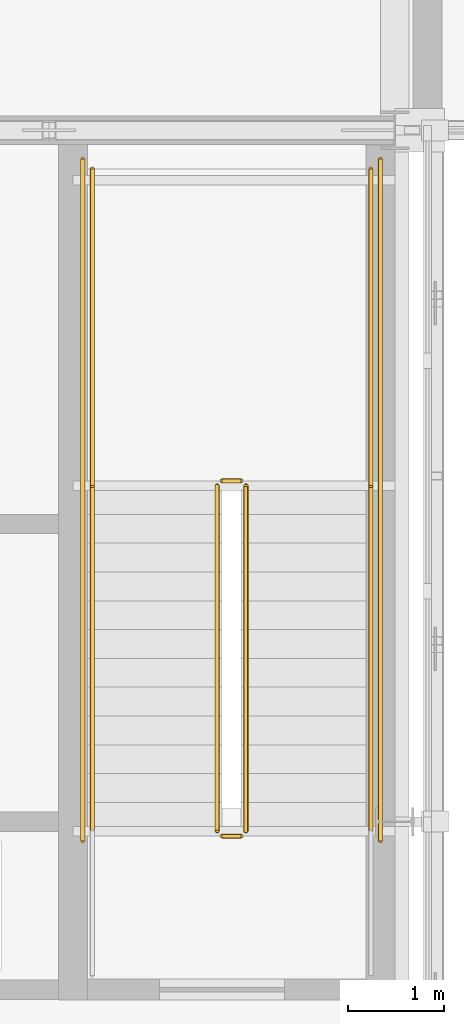
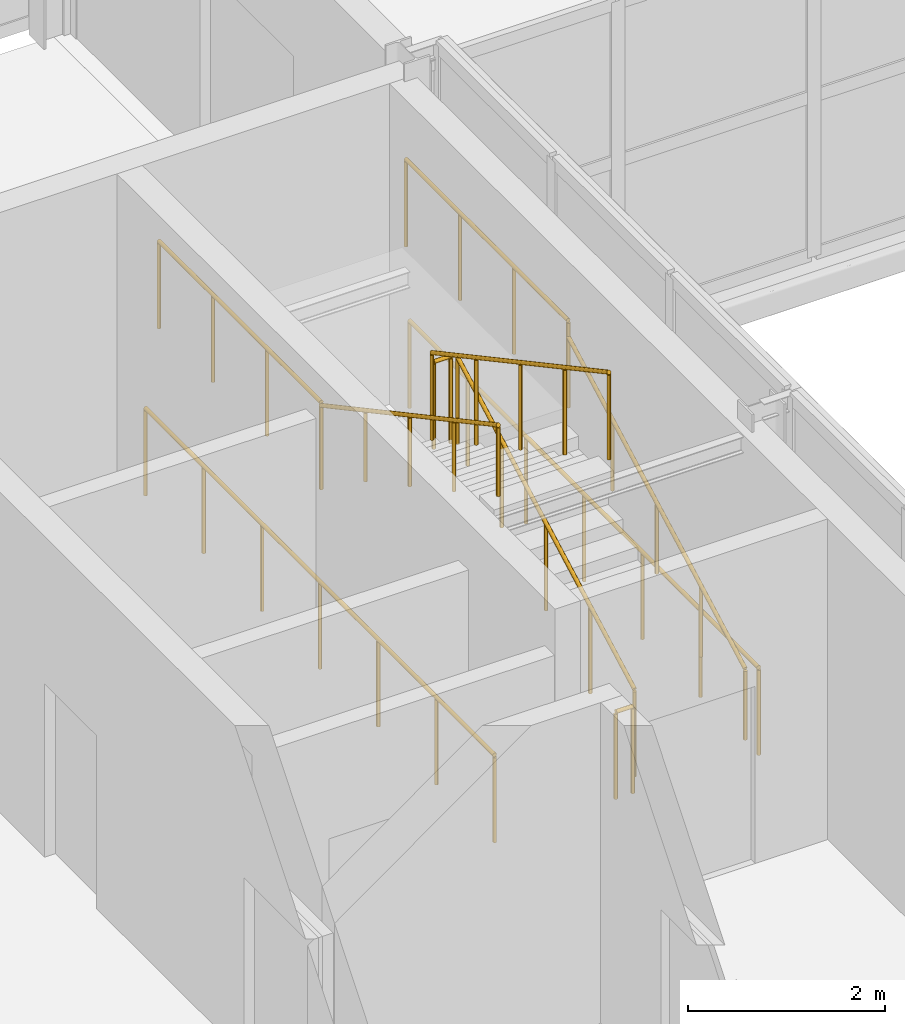
# One storey, part 138 of 146: 10 railings.
"""IFC4 building model written with IfcOpenShell, lengths in metres."""

from ifc_helpers import new_model, si_unit, direction, frame, origin, origin_2d, place, context, subcontext, project, spatial, circle, extrude, material, type_object, element, save


model = new_model("IFC4")

# Units and contexts
model_context = context("Model", 3, precision=1e-05, world=origin(), true_north=direction((0.0, 1.0)))
body_context = subcontext(model_context, "Body", "Model", "MODEL_VIEW")
ifc_project = project(units=[si_unit("LENGTHUNIT", "METRE"), si_unit("AREAUNIT", "SQUARE_METRE"), si_unit("VOLUMEUNIT", "CUBIC_METRE"), si_unit("PLANEANGLEUNIT", "RADIAN"), si_unit("MASSUNIT", "GRAM", prefix="KILO")], contexts=[model_context])

# Site, building, storey
site_placement = place(None, origin())
site = spatial("IfcSite", under=ifc_project, at=site_placement, CompositionType="ELEMENT")
building_placement = place(site_placement, origin())
building = spatial("IfcBuilding", under=site, at=building_placement, Name="Zlatovets Crest Museum", CompositionType="ELEMENT")
storey_placement = place(building_placement, frame((0.0, 0.0, 4.5)))
storey = spatial("IfcBuildingStorey", under=building, at=storey_placement, Name="L01", CompositionType="ELEMENT", Elevation=4.5)

# Railings
ifc_material_1 = material(Name="Painted steel safety guardrail", Category="steel")
railing_type_1 = type_object("IfcRailingType", Name="StairGuard_SG01", PredefinedType="GUARDRAIL", material=ifc_material_1)
railing_1_placement = place(storey_placement, frame((106.449951171875, 14.300048828125, 0.16162109375)))
element("IfcRailing", 1, at=railing_1_placement, inside=storey, type_object=railing_type_1, Name="L01 ST9 stair guard 1", PredefinedType="GUARDRAIL", context=body_context, shape_type="SweptSolid", body=[
    extrude(circle(Radius=0.02392578125, at=origin_2d()), frame((0.0, 0.0, 1.076171875), z_axis=(0.0, 0.880461512865, 0.474117627138), x_axis=(-1.0, 0.0, 0.0)), (0.0, 0.0, 1.0), 4.088623046875),
    extrude(circle(Radius=0.02099609375, at=origin_2d()), origin(), (0.0, 0.0, 1.0), 1.052001953125),
    extrude(circle(Radius=0.02099609375, at=origin_2d()), frame((0.0, 0.89990234375, 0.484619140625)), (0.0, 0.0, 1.0), 1.052001953125),
    extrude(circle(Radius=0.02099609375, at=origin_2d()), frame((0.0, 1.7998046875, 0.96923828125)), (0.0, 0.0, 1.0), 1.052001953125),
    extrude(circle(Radius=0.02099609375, at=origin_2d()), frame((0.0, 2.699951171875, 1.453857421875)), (0.0, 0.0, 1.0), 1.052001953125),
    extrude(circle(Radius=0.02099609375, at=origin_2d()), frame((0.0, 3.599853515625, 1.9384765625)), (0.0, 0.0, 1.0), 1.052001953125),
])
railing_2_placement = place(storey_placement, frame((106.39990234375, 17.949951171875, 2.10009765625)))
element("IfcRailing", 2, at=railing_2_placement, inside=storey, type_object=railing_type_1, Name="L01 ST9 stair guard 2", PredefinedType="GUARDRAIL", context=body_context, shape_type="SweptSolid", body=[
    extrude(circle(Radius=0.02392578125, at=origin_2d()), frame((0.0, 0.0, 1.076171875), z_axis=(-1.0, 0.0, 0.0), x_axis=(0.0, -1.0, 0.0)), (0.0, 0.0, 1.0), 0.199951171875),
    extrude(circle(Radius=0.02099609375, at=origin_2d()), origin(), (0.0, 0.0, 1.0), 1.052001953125),
    extrude(circle(Radius=0.02099609375, at=origin_2d()), frame((-0.199951171875, 0.0, 0.0)), (0.0, 0.0, 1.0), 1.052001953125),
])
for number, where, name in (
    (3, (107.75, 17.89990234375, 2.10009765625), "L01 ST9 stair guard 3"),
    (4, (104.85009765625, 17.89990234375, 2.10009765625), "L01 ST9 stair guard 4"),
):
    element("IfcRailing", number, at=place(storey_placement, frame(where)), inside=storey, type_object=railing_type_1, Name=name, PredefinedType="GUARDRAIL", context=body_context, shape_type="SweptSolid", body=[
        extrude(circle(Radius=0.02392578125, at=origin_2d()), frame((0.0, 0.0, 1.076171875), z_axis=(0.0, 1.0, 0.0), x_axis=(-1.0, 0.0, 0.0)), (0.0, 0.0, 1.0), 3.300048828125),
        extrude(circle(Radius=0.02099609375, at=origin_2d()), origin(), (0.0, 0.0, 1.0), 1.052001953125),
        extrude(circle(Radius=0.02099609375, at=origin_2d()), frame((0.0, 1.10009765625, 0.0)), (0.0, 0.0, 1.0), 1.052001953125),
        extrude(circle(Radius=0.02099609375, at=origin_2d()), frame((0.0, 2.199951171875, 0.0)), (0.0, 0.0, 1.0), 1.052001953125),
        extrude(circle(Radius=0.02099609375, at=origin_2d()), frame((0.0, 3.300048828125, 0.0)), (0.0, 0.0, 1.0), 1.052001953125),
    ])
railing_3_placement = place(storey_placement, frame((106.14990234375, 17.89990234375, 2.261474609375)))
element("IfcRailing", 5, at=railing_3_placement, inside=storey, type_object=railing_type_1, Name="L01 ST9 stair guard 5", PredefinedType="GUARDRAIL", context=body_context, shape_type="SweptSolid", body=[
    extrude(circle(Radius=0.02392578125, at=origin_2d()), frame((0.0, 0.0, 1.076171875), z_axis=(0.0, -0.880461512865, 0.474117627138), x_axis=(1.0, 0.0, 0.0)), (0.0, 0.0, 1.0), 4.088623046875),
    extrude(circle(Radius=0.02099609375, at=origin_2d()), origin(), (0.0, 0.0, 1.0), 1.052001953125),
    extrude(circle(Radius=0.02099609375, at=origin_2d()), frame((0.0, -0.89990234375, 0.484619140625)), (0.0, 0.0, 1.0), 1.052001953125),
    extrude(circle(Radius=0.02099609375, at=origin_2d()), frame((0.0, -1.7998046875, 0.96923828125)), (0.0, 0.0, 1.0), 1.052001953125),
    extrude(circle(Radius=0.02099609375, at=origin_2d()), frame((0.0, -2.699951171875, 1.453857421875)), (0.0, 0.0, 1.0), 1.052001953125),
    extrude(circle(Radius=0.02099609375, at=origin_2d()), frame((0.0, -3.599853515625, 1.9384765625)), (0.0, 0.0, 1.0), 1.052001953125),
])
railing_4_placement = place(storey_placement, frame((106.39990234375, 14.25, 0.0)))
element("IfcRailing", 6, at=railing_4_placement, inside=storey, type_object=railing_type_1, Name="L01 ST9 stair guard 6", PredefinedType="GUARDRAIL", context=body_context, shape_type="SweptSolid", body=[
    extrude(circle(Radius=0.02392578125, at=origin_2d()), frame((0.0, 0.0, 1.076171875), z_axis=(-1.0, 0.0, 0.0), x_axis=(0.0, -1.0, 0.0)), (0.0, 0.0, 1.0), 0.199951171875),
    extrude(circle(Radius=0.02099609375, at=origin_2d()), origin(), (0.0, 0.0, 1.0), 1.052001953125),
    extrude(circle(Radius=0.02099609375, at=origin_2d()), frame((-0.199951171875, 0.0, 0.0)), (0.0, 0.0, 1.0), 1.052001953125),
])
for number, where, name in (
    (7, (107.85009765625, 14.199951171875, 0.0), "L01 ST9 stair guard 9"),
    (8, (104.75, 14.199951171875, 0.0), "L01 ST9 stair guard 10"),
):
    element("IfcRailing", number, at=place(storey_placement, frame(where)), inside=storey, type_object=railing_type_1, Name=name, PredefinedType="GUARDRAIL", context=body_context, shape_type="SweptSolid", body=[
        extrude(circle(Radius=0.02392578125, at=origin_2d()), frame((0.0, 0.0, 1.076171875), z_axis=(0.0, 1.0, 0.0), x_axis=(-1.0, 0.0, 0.0)), (0.0, 0.0, 1.0), 7.10009765625),
        extrude(circle(Radius=0.02099609375, at=origin_2d()), origin(), (0.0, 0.0, 1.0), 1.052001953125),
        extrude(circle(Radius=0.02099609375, at=origin_2d()), frame((0.0, 1.183349609375, 0.0)), (0.0, 0.0, 1.0), 1.052001953125),
        extrude(circle(Radius=0.02099609375, at=origin_2d()), frame((0.0, 2.36669921875, 0.0)), (0.0, 0.0, 1.0), 1.052001953125),
        extrude(circle(Radius=0.02099609375, at=origin_2d()), frame((0.0, 3.550048828125, 0.0)), (0.0, 0.0, 1.0), 1.052001953125),
        extrude(circle(Radius=0.02099609375, at=origin_2d()), frame((0.0, 4.7333984375, 0.0)), (0.0, 0.0, 1.0), 1.052001953125),
        extrude(circle(Radius=0.02099609375, at=origin_2d()), frame((0.0, 5.916748046875, 0.0)), (0.0, 0.0, 1.0), 1.052001953125),
        extrude(circle(Radius=0.02099609375, at=origin_2d()), frame((0.0, 7.10009765625, 0.0)), (0.0, 0.0, 1.0), 1.052001953125),
    ])
ifc_material_2 = material(Name="Brushed bronze stair handrail")
railing_type_2 = type_object("IfcRailingType", Name="StairHandrail_SH01", PredefinedType="HANDRAIL", material=ifc_material_2)
railing_5_placement = place(storey_placement, frame((107.75, 14.300048828125, 0.16162109375)))
element("IfcRailing", 9, at=railing_5_placement, inside=storey, type_object=railing_type_2, Name="L01 ST9 stair handrail 1", PredefinedType="HANDRAIL", context=body_context, shape_type="SweptSolid", body=[
    extrude(circle(Radius=0.02392578125, at=origin_2d()), frame((0.0, 0.0, 0.8759765625), z_axis=(0.0, 0.880461512865, 0.474117627138), x_axis=(-1.0, 0.0, 0.0)), (0.0, 0.0, 1.0), 4.088623046875),
    extrude(circle(Radius=0.02099609375, at=origin_2d()), origin(), (0.0, 0.0, 1.0), 0.851806640625),
    extrude(circle(Radius=0.02099609375, at=origin_2d()), frame((0.0, 0.89990234375, 0.484619140625)), (0.0, 0.0, 1.0), 0.851806640625),
    extrude(circle(Radius=0.02099609375, at=origin_2d()), frame((0.0, 1.7998046875, 0.96923828125)), (0.0, 0.0, 1.0), 0.851806640625),
    extrude(circle(Radius=0.02099609375, at=origin_2d()), frame((0.0, 2.699951171875, 1.453857421875)), (0.0, 0.0, 1.0), 0.851806640625),
    extrude(circle(Radius=0.02099609375, at=origin_2d()), frame((0.0, 3.599853515625, 1.9384765625)), (0.0, 0.0, 1.0), 0.851806640625),
])
railing_6_placement = place(storey_placement, frame((104.85009765625, 17.89990234375, 2.261474609375)))
element("IfcRailing", 10, at=railing_6_placement, inside=storey, type_object=railing_type_2, Name="L01 ST9 stair handrail 2", PredefinedType="HANDRAIL", context=body_context, shape_type="SweptSolid", body=[
    extrude(circle(Radius=0.02392578125, at=origin_2d()), frame((0.0, 0.0, 0.8759765625), z_axis=(0.0, -0.880461512865, 0.474117627138), x_axis=(1.0, 0.0, 0.0)), (0.0, 0.0, 1.0), 4.088623046875),
    extrude(circle(Radius=0.02099609375, at=origin_2d()), origin(), (0.0, 0.0, 1.0), 0.851806640625),
    extrude(circle(Radius=0.02099609375, at=origin_2d()), frame((0.0, -0.89990234375, 0.484619140625)), (0.0, 0.0, 1.0), 0.851806640625),
    extrude(circle(Radius=0.02099609375, at=origin_2d()), frame((0.0, -1.7998046875, 0.96923828125)), (0.0, 0.0, 1.0), 0.851806640625),
    extrude(circle(Radius=0.02099609375, at=origin_2d()), frame((0.0, -2.699951171875, 1.453857421875)), (0.0, 0.0, 1.0), 0.851806640625),
    extrude(circle(Radius=0.02099609375, at=origin_2d()), frame((0.0, -3.599853515625, 1.9384765625)), (0.0, 0.0, 1.0), 0.851806640625),
])

save(model, "model.ifc")
